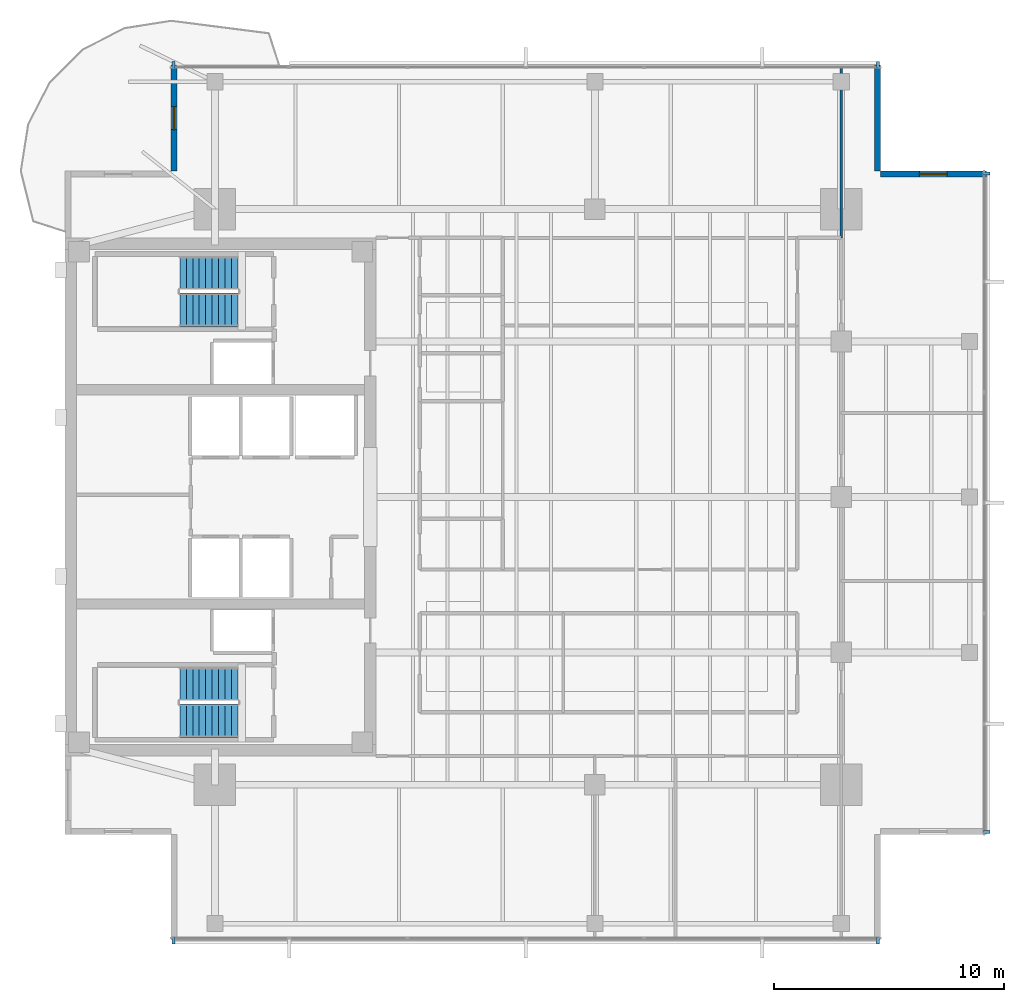
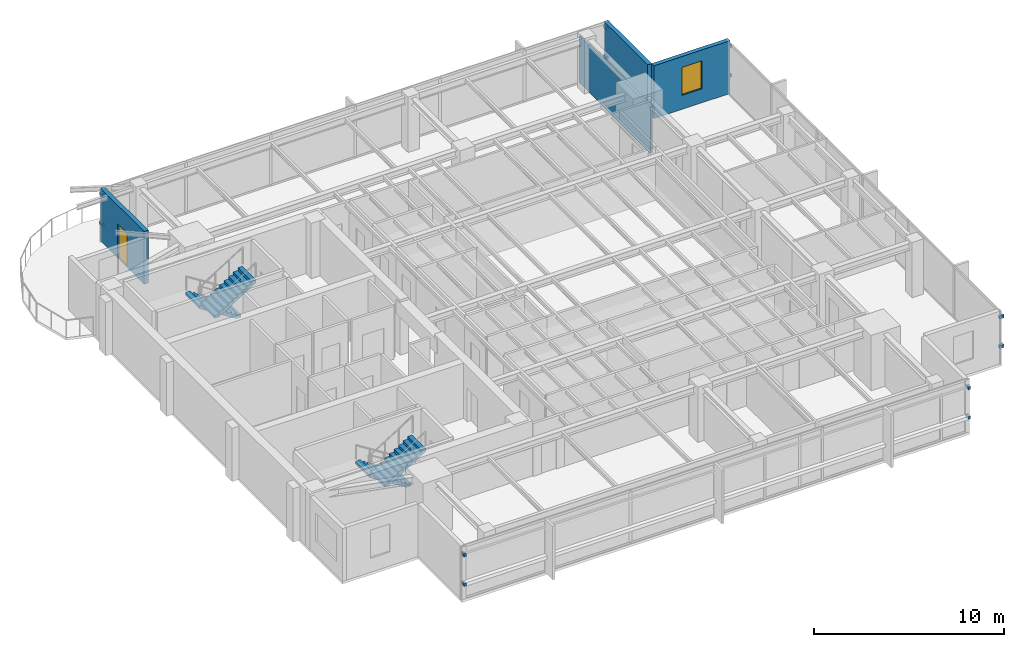
# One storey, part 10 of 14: 12 discrete accessories, 4 stair flights, 4 walls, 1 door, 1 window, 2 openings, 2 elements without a shape of their own.
"""IFC4 building model written with IfcOpenShell, lengths in metres."""

from ifc_helpers import new_model, si_unit, direction, frame, frame_2d, origin, origin_2d, place, context, subcontext, project, spatial, polyline, rectangle, outline, extrude, material, layer, layer_set, type_object, element, fill, aggregate, save


model = new_model("IFC4")

# Units and contexts
model_context = context("Model", 3, precision=1e-05, world=origin(), true_north=direction((0.0, 1.0)))
body_context = subcontext(model_context, "Body", "Model", "MODEL_VIEW")
ifc_project = project(units=[si_unit("LENGTHUNIT", "METRE"), si_unit("AREAUNIT", "SQUARE_METRE"), si_unit("VOLUMEUNIT", "CUBIC_METRE"), si_unit("PLANEANGLEUNIT", "RADIAN"), si_unit("MASSUNIT", "GRAM", prefix="KILO")], contexts=[model_context])

# Site, building, storey
site_placement = place(None, origin())
site = spatial("IfcSite", under=ifc_project, at=site_placement, CompositionType="ELEMENT")
building_placement = place(site_placement, origin())
building = spatial("IfcBuilding", under=site, at=building_placement, Name="Kinhvarn Gate Tower", CompositionType="ELEMENT")
storey_placement = place(building_placement, frame((0.0, 0.0, 277.64990234375)))
storey = spatial("IfcBuildingStorey", under=building, at=storey_placement, Name="L74", CompositionType="ELEMENT", Elevation=277.64990234375)

# Wall, opening, window
ifc_material_1 = material(Name="Fired architectural terracotta", Category="masonry")
ifc_layer_1 = layer(ifc_material_1, 0.25)
ifc_layer_set_1 = layer_set([ifc_layer_1], Name="Fired architectural terracotta")
wall_type_1 = type_object("IfcWallType", Name="WL-EXT-250", PredefinedType="SOLIDWALL", material=ifc_layer_set_1)
wall_1_placement = place(storey_placement, frame((44.5, 39.27490234375, 0.0), z_axis=(0.0, 0.0, 1.0), x_axis=(-1.0, 0.0, 0.0)))
wall_1 = element("IfcWall", 1, at=wall_1_placement, inside=storey, type_object=wall_type_1, Name="Exterior Solidwall Wall EW-250 (L74 NE-Notch-1)", PredefinedType="SOLIDWALL", context=body_context, shape_type="SweptSolid", body=[
    extrude(rectangle(XDim=4.60009765625, YDim=0.25, at=frame_2d((2.300048828125, 0.0))), origin(), (0.0, 0.0, 1.0), 3.39013671875),
])
opening_1_placement = place(wall_1_placement, frame((1.699951171875, 0.0, 0.89990234375)))
opening_1 = element("IfcOpeningElement", 2, at=opening_1_placement, cuts=wall_1, Name="Opening WN-02", PredefinedType="OPENING", context=body_context, shape_type="SweptSolid", body=[
    extrude(rectangle(XDim=1.199951171875, YDim=1.800048828125, at=frame_2d((0.60009765625, 0.89990234375))), frame((0.0, 0.135009765625, 0.0), z_axis=(0.0, -1.0, 0.0), x_axis=(1.0, 0.0, 0.0)), (0.0, 0.0, 1.0), 0.27001953125),
])
ifc_material_2 = material(Name="Clear low-e double glazing", Category="glass")
window_type = type_object("IfcWindowType", Name="WIN-NTC-1200", PartitioningType="SINGLE_PANEL", PredefinedType="WINDOW", material=ifc_material_2)
window_placement = place(opening_1_placement, origin())
window = element("IfcWindow", 3, at=window_placement, inside=storey, type_object=window_type, Name="Recessed Corner Notch Punched Window 1200x1800 mm (L74)", OverallHeight=1.800048828125, OverallWidth=1.199951171875, PartitioningType="SINGLE_PANEL", PredefinedType="WINDOW", context=body_context, shape_type="SweptSolid", body=[
    extrude(rectangle(XDim=1.199951171875, YDim=1.800048828125, at=frame_2d((0.60009765625, 0.89990234375))), frame((0.0, 0.030029296875, 0.0), z_axis=(0.0, -1.0, 0.0), x_axis=(1.0, 0.0, 0.0)), (0.0, 0.0, 1.0), 0.06005859375),
])
fill(opening_1, window)

# Wall
wall_2_placement = place(storey_placement, frame((39.77490234375, 39.39990234375, 0.0), z_axis=(0.0, 0.0, 1.0), x_axis=(0.0, 1.0, 0.0)))
element("IfcWall", 4, at=wall_2_placement, inside=storey, type_object=wall_type_1, Name="Exterior Solidwall Wall EW-250 (L74 NE-Notch-2)", PredefinedType="SOLIDWALL", context=body_context, shape_type="SweptSolid", body=[
    extrude(rectangle(XDim=4.60009765625, YDim=0.25, at=frame_2d((2.300048828125, 0.0))), origin(), (0.0, 0.0, 1.0), 3.39013671875),
])

# Wall, opening, door
wall_3_placement = place(storey_placement, frame((9.22509765625, 44.0, 0.0), z_axis=(0.0, 0.0, 1.0), x_axis=(0.0, -1.0, 0.0)))
wall_3 = element("IfcWall", 5, at=wall_3_placement, inside=storey, type_object=wall_type_1, Name="Exterior Solidwall Wall EW-250 (L74 NW-Notch-Door)", PredefinedType="SOLIDWALL", context=body_context, shape_type="SweptSolid", body=[
    extrude(rectangle(XDim=4.60009765625, YDim=0.25, at=frame_2d((2.300048828125, 0.0))), origin(), (0.0, 0.0, 1.0), 3.39013671875),
])
opening_2_placement = place(wall_3_placement, frame((1.800048828125, 0.0, 0.0)))
opening_2 = element("IfcOpeningElement", 6, at=opening_2_placement, cuts=wall_3, Name="Opening BD-01", PredefinedType="OPENING", context=body_context, shape_type="SweptSolid", body=[
    extrude(rectangle(XDim=1.0, YDim=2.199951171875, at=frame_2d((0.5, 1.10009765625))), frame((0.0, 0.135009765625, 0.0), z_axis=(0.0, -1.0, 0.0), x_axis=(1.0, 0.0, 0.0)), (0.0, 0.0, 1.0), 0.27001953125),
])
door_type = type_object("IfcDoorType", Name="DR-BAL-1000", OperationType="NOTDEFINED", PredefinedType="DOOR", material=ifc_material_2)
door_placement = place(opening_2_placement, frame((1.0, 0.0, 0.0), z_axis=(0.0, 0.0, 1.0), x_axis=(-1.0, 0.0, 0.0)))
door = element("IfcDoor", 7, at=door_placement, inside=storey, type_object=door_type, Name="S-Carve Balcony Door BD-01 (L74)", OperationType="SINGLE_SWING_RIGHT", OverallHeight=2.199951171875, OverallWidth=1.0, PredefinedType="DOOR", context=body_context, shape_type="SweptSolid", body=[
    extrude(rectangle(XDim=1.0, YDim=2.199951171875, at=frame_2d((0.5, 1.10009765625))), frame((0.0, 0.02490234375, 0.0), z_axis=(0.0, -1.0, 0.0), x_axis=(1.0, 0.0, 0.0)), (0.0, 0.0, 1.0), 0.050048828125),
])
fill(opening_2, door)

# Wall
ifc_material_3 = material(Name="Gypsum acoustic partition board")
ifc_layer_2 = layer(ifc_material_3, 0.1201171875)
ifc_layer_set_2 = layer_set([ifc_layer_2], Name="Gypsum acoustic partition board")
wall_type_2 = type_object("IfcWallType", Name="WL-PRT-120", PredefinedType="PARTITIONING", material=ifc_layer_set_2)
wall_4_placement = place(storey_placement, frame((38.199951171875, 36.5, 0.0), z_axis=(0.0, 0.0, 1.0), x_axis=(0.0, 1.0, 0.0)))
element("IfcWall", 8, at=wall_4_placement, inside=storey, type_object=wall_type_2, Name="Interior Partition PW-120 (L74)", PredefinedType="PARTITIONING", context=body_context, shape_type="SweptSolid", body=[
    extrude(rectangle(XDim=7.489990234375, YDim=0.1201171875, at=frame_2d((3.7451171875, 0.0))), origin(), (0.0, 0.0, 1.0), 2.989990234375),
])

# Stair, stair flights
ifc_material_4 = material(Name="Concrete C40/50", Category="concrete")
stair_type = type_object("IfcStairType", Name="STR-DLG-178", PredefinedType="HALF_TURN_STAIR", material=ifc_material_4)
stair_1_placement = place(storey_placement, origin())
stair_1 = element("IfcStair", 9, at=stair_1_placement, inside=storey, type_object=stair_type, Name="L74 Core Smokeproof Exit Stair ST1", PredefinedType="HALF_TURN_STAIR")
stair_flight_type = type_object("IfcStairFlightType", Name="STF-DLG-178", PredefinedType="STRAIGHT", material=ifc_material_4)
stair_flight_1_placement = place(storey_placement, frame((12.0, 17.125, 0.0), z_axis=(0.0, 0.0, 1.0), x_axis=(-1.0, 0.0, 0.0)))
stair_flight_1 = element("IfcStairFlight", 10, at=stair_flight_1_placement, type_object=stair_flight_type, Name="ST1 flight 1", NumberOfRisers=10, NumberOfTreads=9, PredefinedType="STRAIGHT", RiserHeight=0.1775, TreadLength=0.28, context=body_context, shape_type="SweptSolid", body=[
    extrude(outline(polyline([(0.0, 0.0), (0.0, 0.177490234375), (0.280029296875, 0.177490234375), (0.280029296875, 0.35498046875), (0.56005859375, 0.35498046875), (0.56005859375, 0.532470703125), (0.840087890625, 0.532470703125), (0.840087890625, 0.7099609375), (1.1201171875, 0.7099609375), (1.1201171875, 0.887451171875), (1.39990234375, 0.887451171875), (1.39990234375, 1.06494140625), (1.679931640625, 1.06494140625), (1.679931640625, 1.242431640625), (1.9599609375, 1.242431640625), (1.9599609375, 1.419921875), (2.239990234375, 1.419921875), (2.239990234375, 1.597412109375), (2.52001953125, 1.597412109375), (2.52001953125, 1.77490234375), (2.52001953125, 1.419921875), (0.280029296875, 0.0), (0.0, 0.0)])), frame((0.0, 0.72509765625, 0.0), z_axis=(0.0, -1.0, 0.0), x_axis=(1.0, 0.0, 0.0)), (0.0, 0.0, 1.0), 1.449951171875),
])
stair_flight_2_placement = place(storey_placement, frame((9.47998046875, 15.52490234375, 1.775146484375), z_axis=(0.0, 0.0, 1.0), x_axis=(1.0, 0.0, 0.0)))
stair_flight_2 = element("IfcStairFlight", 11, at=stair_flight_2_placement, type_object=stair_flight_type, Name="ST1 flight 2", NumberOfRisers=10, NumberOfTreads=9, PredefinedType="STRAIGHT", RiserHeight=0.1775, TreadLength=0.28, context=body_context, shape_type="SweptSolid", body=[
    extrude(outline(polyline([(0.0, 0.0), (0.0, 0.177490234375), (0.280029296875, 0.177490234375), (0.280029296875, 0.35498046875), (0.56005859375, 0.35498046875), (0.56005859375, 0.532470703125), (0.840087890625, 0.532470703125), (0.840087890625, 0.7099609375), (1.1201171875, 0.7099609375), (1.1201171875, 0.887451171875), (1.39990234375, 0.887451171875), (1.39990234375, 1.06494140625), (1.679931640625, 1.06494140625), (1.679931640625, 1.242431640625), (1.9599609375, 1.242431640625), (1.9599609375, 1.419921875), (2.239990234375, 1.419921875), (2.239990234375, 1.597412109375), (2.52001953125, 1.597412109375), (2.52001953125, 1.77490234375), (2.52001953125, 1.419921875), (0.280029296875, 0.0), (0.0, 0.0)])), frame((0.0, 0.72509765625, 0.0), z_axis=(0.0, -1.0, 0.0), x_axis=(1.0, 0.0, 0.0)), (0.0, 0.0, 1.0), 1.449951171875),
])
aggregate(stair_1, [stair_flight_1, stair_flight_2])

stair_2_placement = place(storey_placement, origin())
stair_2 = element("IfcStair", 12, at=stair_2_placement, inside=storey, type_object=stair_type, Name="L74 Core Smokeproof Exit Stair ST2", PredefinedType="HALF_TURN_STAIR")
stair_flight_3_placement = place(storey_placement, frame((12.0, 34.97509765625, 0.0), z_axis=(0.0, 0.0, 1.0), x_axis=(-1.0, 0.0, 0.0)))
stair_flight_3 = element("IfcStairFlight", 13, at=stair_flight_3_placement, type_object=stair_flight_type, Name="ST2 flight 1", NumberOfRisers=10, NumberOfTreads=9, PredefinedType="STRAIGHT", RiserHeight=0.1775, TreadLength=0.28, context=body_context, shape_type="SweptSolid", body=[
    extrude(outline(polyline([(0.0, 0.0), (0.0, 0.177490234375), (0.280029296875, 0.177490234375), (0.280029296875, 0.35498046875), (0.56005859375, 0.35498046875), (0.56005859375, 0.532470703125), (0.840087890625, 0.532470703125), (0.840087890625, 0.7099609375), (1.1201171875, 0.7099609375), (1.1201171875, 0.887451171875), (1.39990234375, 0.887451171875), (1.39990234375, 1.06494140625), (1.679931640625, 1.06494140625), (1.679931640625, 1.242431640625), (1.9599609375, 1.242431640625), (1.9599609375, 1.419921875), (2.239990234375, 1.419921875), (2.239990234375, 1.597412109375), (2.52001953125, 1.597412109375), (2.52001953125, 1.77490234375), (2.52001953125, 1.419921875), (0.280029296875, 0.0), (0.0, 0.0)])), frame((0.0, 0.72509765625, 0.0), z_axis=(0.0, -1.0, 0.0), x_axis=(1.0, 0.0, 0.0)), (0.0, 0.0, 1.0), 1.449951171875),
])
stair_flight_4_placement = place(storey_placement, frame((9.47998046875, 33.375, 1.775146484375), z_axis=(0.0, 0.0, 1.0), x_axis=(1.0, 0.0, 0.0)))
stair_flight_4 = element("IfcStairFlight", 14, at=stair_flight_4_placement, type_object=stair_flight_type, Name="ST2 flight 2", NumberOfRisers=10, NumberOfTreads=9, PredefinedType="STRAIGHT", RiserHeight=0.1775, TreadLength=0.28, context=body_context, shape_type="SweptSolid", body=[
    extrude(outline(polyline([(0.0, 0.0), (0.0, 0.177490234375), (0.280029296875, 0.177490234375), (0.280029296875, 0.35498046875), (0.56005859375, 0.35498046875), (0.56005859375, 0.532470703125), (0.840087890625, 0.532470703125), (0.840087890625, 0.7099609375), (1.1201171875, 0.7099609375), (1.1201171875, 0.887451171875), (1.39990234375, 0.887451171875), (1.39990234375, 1.06494140625), (1.679931640625, 1.06494140625), (1.679931640625, 1.242431640625), (1.9599609375, 1.242431640625), (1.9599609375, 1.419921875), (2.239990234375, 1.419921875), (2.239990234375, 1.597412109375), (2.52001953125, 1.597412109375), (2.52001953125, 1.77490234375), (2.52001953125, 1.419921875), (0.280029296875, 0.0), (0.0, 0.0)])), frame((0.0, 0.72509765625, 0.0), z_axis=(0.0, -1.0, 0.0), x_axis=(1.0, 0.0, 0.0)), (0.0, 0.0, 1.0), 1.449951171875),
])
aggregate(stair_2, [stair_flight_3, stair_flight_4])

# Discrete accessories
ifc_material_5 = material(Name="Anodised aluminium AW-6063", Category="aluminium")
discrete_accessory_type = type_object("IfcDiscreteAccessoryType", Name="ACC-BRK-01", PredefinedType="BRACKET", material=ifc_material_5)
for number, where, z_axis, x_axis, name in (
    (15, (9.199951171875, 5.969970703125, 0.9599609375), (0.0, 0.0, 1.0), (1.0, 0.0, 0.0), "Baguette Support Bracket BK-01 (L74)"),
    (16, (9.199951171875, 5.969970703125, 2.85009765625), (0.0, 0.0, 1.0), (1.0, 0.0, 0.0), "Baguette Support Bracket BK-01 (L74)"),
    (17, (39.800048828125, 5.969970703125, 0.9599609375), (0.0, 0.0, 1.0), (1.0, 0.0, 0.0), "Baguette Support Bracket BK-01 (L74)"),
    (18, (39.800048828125, 5.969970703125, 2.85009765625), (0.0, 0.0, 1.0), (1.0, 0.0, 0.0), "Baguette Support Bracket BK-01 (L74)"),
    (19, (39.800048828125, 44.030029296875, 0.9599609375), (0.0, 0.0, 1.0), (-1.0, 0.0, 0.0), "Baguette Support Bracket BK-01 (L74)"),
    (20, (39.800048828125, 44.030029296875, 2.85009765625), (0.0, 0.0, 1.0), (-1.0, 0.0, 0.0), "Baguette Support Bracket BK-01 (L74)"),
    (21, (9.199951171875, 44.030029296875, 0.9599609375), (0.0, 0.0, 1.0), (-1.0, 0.0, 0.0), "Baguette Support Bracket BK-01 (L74)"),
    (22, (9.199951171875, 44.030029296875, 2.85009765625), (0.0, 0.0, 1.0), (-1.0, 0.0, 0.0), "Baguette Support Bracket BK-01 (L74)"),
    (23, (44.530029296875, 10.699951171875, 0.9599609375), (0.0, 0.0, 1.0), (0.0, 1.0, 0.0), "Baguette Support Bracket BK-01 (L74)"),
    (24, (44.530029296875, 10.699951171875, 2.85009765625), (0.0, 0.0, 1.0), (0.0, 1.0, 0.0), "Baguette Support Bracket BK-01 (L74)"),
    (25, (44.530029296875, 39.300048828125, 0.9599609375), (0.0, 0.0, 1.0), (0.0, 1.0, 0.0), "Baguette Support Bracket BK-01 (L74)"),
    (26, (44.530029296875, 39.300048828125, 2.85009765625), (0.0, 0.0, 1.0), (0.0, 1.0, 0.0), "Baguette Support Bracket BK-01 (L74)"),
):
    element("IfcDiscreteAccessory", number, at=place(storey_placement, frame(where, z_axis=z_axis, x_axis=x_axis)), inside=storey, type_object=discrete_accessory_type, Name=name, PredefinedType="BRACKET", context=body_context, shape_type="SweptSolid", body=[
        extrude(rectangle(XDim=0.139892578125, YDim=0.280029296875, at=origin_2d()), origin(), (0.0, 0.0, 1.0), 0.179931640625),
    ])

save(model, "model.ifc")
